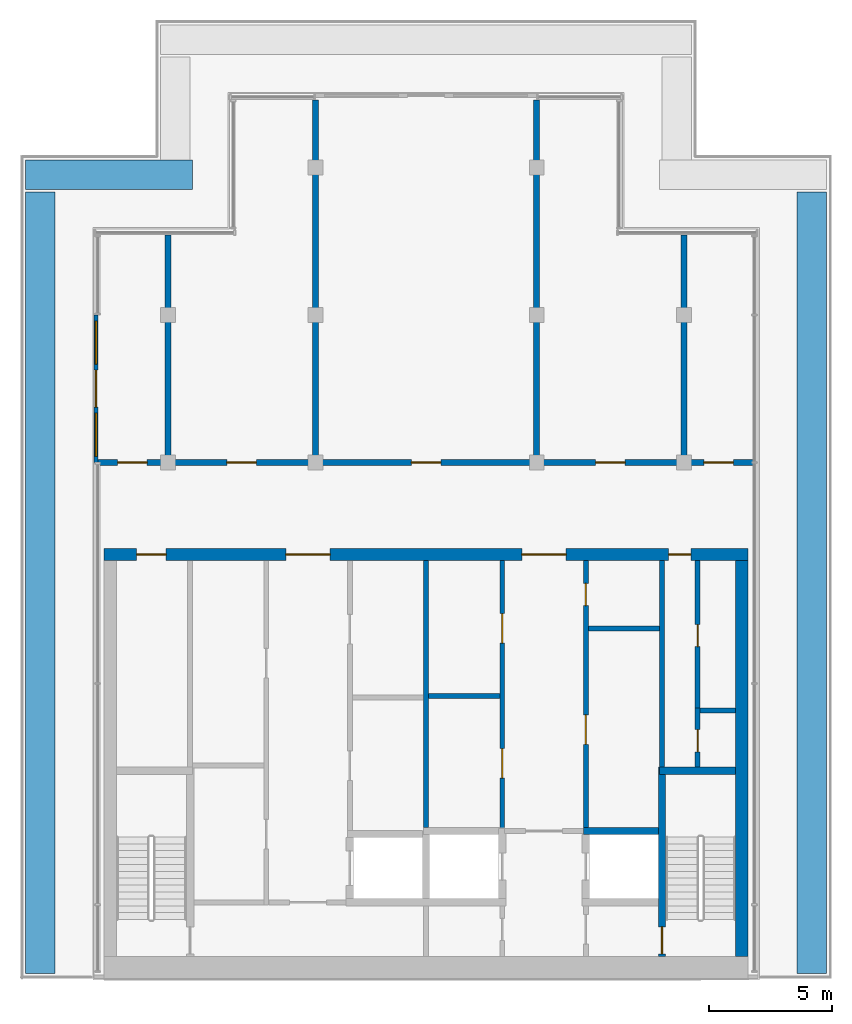
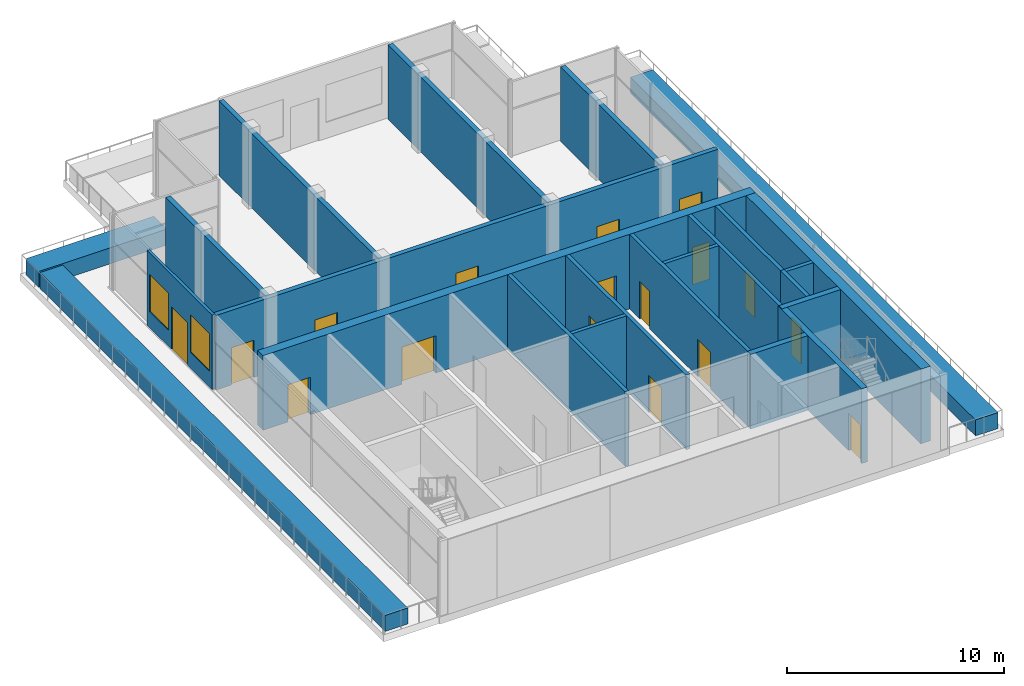
# One storey, part 3 of 6: 23 walls, 17 doors, 2 windows, 19 openings.
"""IFC4 building model written with IfcOpenShell, lengths in metres."""

from ifc_helpers import new_model, si_unit, direction, frame, frame_2d, origin, place, context, subcontext, project, spatial, rectangle, extrude, material, layer, layer_set, type_object, element, fill, save


model = new_model("IFC4")

# Units and contexts
model_context = context("Model", 3, precision=1e-05, world=origin(), true_north=direction((0.0, 1.0)))
body_context = subcontext(model_context, "Body", "Model", "MODEL_VIEW")
ifc_project = project(units=[si_unit("LENGTHUNIT", "METRE"), si_unit("AREAUNIT", "SQUARE_METRE"), si_unit("VOLUMEUNIT", "CUBIC_METRE"), si_unit("PLANEANGLEUNIT", "RADIAN"), si_unit("MASSUNIT", "GRAM", prefix="KILO")], contexts=[model_context])

# Site, building, storey
site_placement = place(None, origin())
site = spatial("IfcSite", under=ifc_project, at=site_placement, CompositionType="ELEMENT")
building_placement = place(site_placement, origin())
building = spatial("IfcBuilding", under=site, at=building_placement, Name="Finial Court Residences", CompositionType="ELEMENT")
storey_placement = place(building_placement, frame((0.0, 0.0, 312.199951171875)))
storey = spatial("IfcBuildingStorey", under=building, at=storey_placement, Name="L79", CompositionType="ELEMENT", Elevation=312.199951171875)

# Wall, openings, doors
ifc_material_1 = material(Name="Concrete C50/60", Category="concrete")
ifc_layer_1 = layer(ifc_material_1, 0.5)
ifc_layer_set_1 = layer_set([ifc_layer_1], Name="Core outer wall 500 Concrete C50/60")
wall_type_1 = type_object("IfcWallType", Name="Core outer wall 500 Concrete C50/60", PredefinedType="SHEAR", material=ifc_layer_set_1)
wall_1_placement = place(storey_placement, frame((-13.10009765625, -8.25, 0.0), z_axis=(0.0, 0.0, 1.0), x_axis=(1.0, 0.0, 0.0)))
wall_1 = element("IfcWall", 1, at=wall_1_placement, inside=storey, type_object=wall_type_1, Name="Core outer wall L79-02", PredefinedType="SHEAR", context=body_context, shape_type="SweptSolid", body=[
    extrude(rectangle(XDim=26.2001953125, YDim=0.5, at=frame_2d((13.10009765625, 0.0))), origin(), (0.0, 0.0, 1.0), 4.199951171875),
])
opening_1_placement = place(wall_1_placement, frame((7.39990234375, 0.0, 0.0)))
opening_1 = element("IfcOpeningElement", 2, at=opening_1_placement, cuts=wall_1, Name="Opening L79-C03", PredefinedType="OPENING", context=body_context, shape_type="SweptSolid", body=[
    extrude(rectangle(XDim=1.800048828125, YDim=2.10009765625, at=frame_2d((0.89990234375, 1.050048828125))), frame((0.0, 0.260009765625, 0.0), z_axis=(0.0, -1.0, 0.0), x_axis=(1.0, 0.0, 0.0)), (0.0, 0.0, 1.0), 0.52001953125),
])
opening_2_placement = place(wall_1_placement, frame((17.0, 0.0, 0.0)))
opening_2 = element("IfcOpeningElement", 3, at=opening_2_placement, cuts=wall_1, Name="Opening L79-C04", PredefinedType="OPENING", context=body_context, shape_type="SweptSolid", body=[
    extrude(rectangle(XDim=1.800048828125, YDim=2.10009765625, at=frame_2d((0.89990234375, 1.050048828125))), frame((0.0, 0.260009765625, 0.0), z_axis=(0.0, -1.0, 0.0), x_axis=(1.0, 0.0, 0.0)), (0.0, 0.0, 1.0), 0.52001953125),
])
opening_3_placement = place(wall_1_placement, frame((1.324951171875, 0.0, 0.0)))
opening_3 = element("IfcOpeningElement", 4, at=opening_3_placement, cuts=wall_1, Name="Opening L79-C15", PredefinedType="OPENING", context=body_context, shape_type="SweptSolid", body=[
    extrude(rectangle(XDim=1.199951171875, YDim=2.10009765625, at=frame_2d((0.60009765625, 1.050048828125))), frame((0.0, 0.260009765625, 0.0), z_axis=(0.0, -1.0, 0.0), x_axis=(1.0, 0.0, 0.0)), (0.0, 0.0, 1.0), 0.52001953125),
])
opening_4_placement = place(wall_1_placement, frame((22.97509765625, 0.0, 0.0)))
opening_4 = element("IfcOpeningElement", 5, at=opening_4_placement, cuts=wall_1, Name="Opening L79-C16", PredefinedType="OPENING", context=body_context, shape_type="SweptSolid", body=[
    extrude(rectangle(XDim=0.89990234375, YDim=2.10009765625, at=frame_2d((0.449951171875, 1.050048828125))), frame((0.0, 0.260009765625, 0.0), z_axis=(0.0, -1.0, 0.0), x_axis=(1.0, 0.0, 0.0)), (0.0, 0.0, 1.0), 0.52001953125),
])
ifc_material_2 = material(Name="Steel fire door", Category="steel")
door_type_1 = type_object("IfcDoorType", Name="Lift lobby door 1800 x 2100 EI 60", OperationType="DOUBLE_DOOR_SINGLE_SWING", PredefinedType="DOOR", material=ifc_material_2)
door_1_placement = place(opening_1_placement, origin())
door_1 = element("IfcDoor", 6, at=door_1_placement, inside=storey, type_object=door_type_1, Name="Lift lobby door L79-C03", OperationType="DOUBLE_DOOR_SINGLE_SWING", OverallHeight=2.10009765625, OverallWidth=1.800048828125, PredefinedType="DOOR", context=body_context, shape_type="SweptSolid", body=[
    extrude(rectangle(XDim=1.800048828125, YDim=2.10009765625, at=frame_2d((0.89990234375, 1.050048828125))), frame((0.0, 0.02490234375, 0.0), z_axis=(0.0, -1.0, 0.0), x_axis=(1.0, 0.0, 0.0)), (0.0, 0.0, 1.0), 0.050048828125),
])
fill(opening_1, door_1)
door_2_placement = place(opening_2_placement, origin())
door_2 = element("IfcDoor", 7, at=door_2_placement, inside=storey, type_object=door_type_1, Name="Lift lobby door L79-C04", OperationType="DOUBLE_DOOR_SINGLE_SWING", OverallHeight=2.10009765625, OverallWidth=1.800048828125, PredefinedType="DOOR", context=body_context, shape_type="SweptSolid", body=[
    extrude(rectangle(XDim=1.800048828125, YDim=2.10009765625, at=frame_2d((0.89990234375, 1.050048828125))), frame((0.0, 0.02490234375, 0.0), z_axis=(0.0, -1.0, 0.0), x_axis=(1.0, 0.0, 0.0)), (0.0, 0.0, 1.0), 0.050048828125),
])
fill(opening_2, door_2)
door_type_2 = type_object("IfcDoorType", Name="Riser room door 1200 x 2100 EI 90", OperationType="NOTDEFINED", PredefinedType="DOOR", material=ifc_material_2)
door_3_placement = place(opening_3_placement, origin())
door_3 = element("IfcDoor", 8, at=door_3_placement, inside=storey, type_object=door_type_2, Name="Riser room door L79-C15", OperationType="SINGLE_SWING_LEFT", OverallHeight=2.10009765625, OverallWidth=1.199951171875, PredefinedType="DOOR", context=body_context, shape_type="SweptSolid", body=[
    extrude(rectangle(XDim=1.199951171875, YDim=2.10009765625, at=frame_2d((0.60009765625, 1.050048828125))), frame((0.0, 0.02490234375, 0.0), z_axis=(0.0, -1.0, 0.0), x_axis=(1.0, 0.0, 0.0)), (0.0, 0.0, 1.0), 0.050048828125),
])
fill(opening_3, door_3)
door_type_3 = type_object("IfcDoorType", Name="Riser room door 900 x 2100 EI 90", OperationType="NOTDEFINED", PredefinedType="DOOR", material=ifc_material_2)
door_4_placement = place(opening_4_placement, origin())
door_4 = element("IfcDoor", 9, at=door_4_placement, inside=storey, type_object=door_type_3, Name="Riser room door L79-C16", OperationType="SINGLE_SWING_LEFT", OverallHeight=2.10009765625, OverallWidth=0.89990234375, PredefinedType="DOOR", context=body_context, shape_type="SweptSolid", body=[
    extrude(rectangle(XDim=0.89990234375, YDim=2.10009765625, at=frame_2d((0.449951171875, 1.050048828125))), frame((0.0, 0.02490234375, 0.0), z_axis=(0.0, -1.0, 0.0), x_axis=(1.0, 0.0, 0.0)), (0.0, 0.0, 1.0), 0.050048828125),
])
fill(opening_4, door_4)

# Walls
wall_2_placement = place(storey_placement, frame((12.85009765625, -24.60009765625, 0.0), z_axis=(0.0, 0.0, 1.0), x_axis=(0.0, 1.0, 0.0)))
element("IfcWall", 10, at=wall_2_placement, inside=storey, type_object=wall_type_1, Name="Core outer wall L79-04", PredefinedType="SHEAR", context=body_context, shape_type="SweptSolid", body=[
    extrude(rectangle(XDim=16.10009765625, YDim=0.5, at=frame_2d((8.050048828125, 0.0))), origin(), (0.0, 0.0, 1.0), 4.199951171875),
])
ifc_layer_2 = layer(ifc_material_1, 0.300048828125)
ifc_layer_set_2 = layer_set([ifc_layer_2], Name="Lift shaft and stair wall 300 Concrete C50/60")
wall_type_2 = type_object("IfcWallType", Name="Lift shaft and stair wall 300 Concrete C50/60", PredefinedType="SHEAR", material=ifc_layer_set_2)
wall_3_placement = place(storey_placement, frame((6.39990234375, -19.5, 0.0), z_axis=(0.0, 0.0, 1.0), x_axis=(1.0, 0.0, 0.0)))
element("IfcWall", 11, at=wall_3_placement, inside=storey, type_object=wall_type_2, Name="Core wall L79-08", PredefinedType="SHEAR", context=body_context, shape_type="SweptSolid", body=[
    extrude(rectangle(XDim=3.050048828125, YDim=0.300048828125, at=frame_2d((1.52490234375, 0.0))), origin(), (0.0, 0.0, 1.0), 4.199951171875),
])
wall_4_placement = place(storey_placement, frame((9.5, -17.050048828125, 0.0), z_axis=(0.0, 0.0, 1.0), x_axis=(1.0, 0.0, 0.0)))
element("IfcWall", 12, at=wall_4_placement, inside=storey, type_object=wall_type_2, Name="Core wall L79-10", PredefinedType="SHEAR", context=body_context, shape_type="SweptSolid", body=[
    extrude(rectangle(XDim=3.10009765625, YDim=0.300048828125, at=frame_2d((1.550048828125, 0.0))), origin(), (0.0, 0.0, 1.0), 4.199951171875),
])

# Wall, opening, door
wall_5_placement = place(storey_placement, frame((9.60009765625, -16.89990234375, 0.0), z_axis=(0.0, 0.0, 1.0), x_axis=(0.0, -1.0, 0.0)))
wall_5 = element("IfcWall", 13, at=wall_5_placement, inside=storey, type_object=wall_type_2, Name="Core wall L79-30", PredefinedType="SHEAR", context=body_context, shape_type="SweptSolid", body=[
    extrude(rectangle(XDim=7.7001953125, YDim=0.300048828125, at=frame_2d((3.85009765625, 0.0))), origin(), (0.0, 0.0, 1.0), 4.199951171875),
])
opening_5_placement = place(wall_5_placement, frame((6.5, 0.0, 0.0)))
opening_5 = element("IfcOpeningElement", 14, at=opening_5_placement, cuts=wall_5, Name="Opening L79-C20", PredefinedType="OPENING", context=body_context, shape_type="SweptSolid", body=[
    extrude(rectangle(XDim=1.10009765625, YDim=2.10009765625, at=frame_2d((0.550048828125, 1.050048828125))), frame((0.0, 0.159912109375, 0.0), z_axis=(0.0, -1.0, 0.0), x_axis=(1.0, 0.0, 0.0)), (0.0, 0.0, 1.0), 0.320068359375),
])
door_type_4 = type_object("IfcDoorType", Name="Stair door 1100 x 2100 EI 90", OperationType="NOTDEFINED", PredefinedType="DOOR", material=ifc_material_2)
door_5_placement = place(opening_5_placement, origin())
door_5 = element("IfcDoor", 15, at=door_5_placement, inside=storey, type_object=door_type_4, Name="Stair door L79-C20", OperationType="SINGLE_SWING_RIGHT", OverallHeight=2.10009765625, OverallWidth=1.10009765625, PredefinedType="DOOR", context=body_context, shape_type="SweptSolid", body=[
    extrude(rectangle(XDim=1.10009765625, YDim=2.10009765625, at=frame_2d((0.550048828125, 1.050048828125))), frame((0.0, 0.02490234375, 0.0), z_axis=(0.0, -1.0, 0.0), x_axis=(1.0, 0.0, 0.0)), (0.0, 0.0, 1.0), 0.050048828125),
])
fill(opening_5, door_5)

# Wall, openings, door, windows
ifc_material_3 = material(Name="Natural limestone", Category="masonry")
ifc_layer_3 = layer(ifc_material_3, 0.14990234375)
ifc_layer_set_3 = layer_set([ifc_layer_3], Name="Limestone clad wall 150")
wall_type_3 = type_object("IfcWallType", Name="Limestone clad wall 150", PredefinedType="SOLIDWALL", material=ifc_layer_set_3)
wall_6_placement = place(storey_placement, frame((-13.425048828125, -4.5, 0.0), z_axis=(0.0, 0.0, 1.0), x_axis=(0.0, 1.0, 0.0)))
wall_6 = element("IfcWall", 16, at=wall_6_placement, inside=storey, type_object=wall_type_3, Name="E-L79-L79-TD2-W", PredefinedType="SOLIDWALL", context=body_context, shape_type="SweptSolid", body=[
    extrude(rectangle(XDim=6.0, YDim=0.14990234375, at=frame_2d((3.0, 0.0))), origin(), (0.0, 0.0, 1.0), 4.199951171875),
])
opening_6_placement = place(wall_6_placement, frame((2.25, 0.0, 0.0)))
opening_6 = element("IfcOpeningElement", 17, at=opening_6_placement, cuts=wall_6, Name="Opening DE79-02", PredefinedType="OPENING", context=body_context, shape_type="SweptSolid", body=[
    extrude(rectangle(XDim=1.5, YDim=2.39990234375, at=frame_2d((0.75, 1.199951171875))), frame((0.0, 0.0849609375, 0.0), z_axis=(0.0, -1.0, 0.0), x_axis=(1.0, 0.0, 0.0)), (0.0, 0.0, 1.0), 0.169921875),
])
opening_7_placement = place(wall_6_placement, frame((0.25, 0.0, 0.89990234375)))
opening_7 = element("IfcOpeningElement", 18, at=opening_7_placement, cuts=wall_6, Name="Opening WE79-03", PredefinedType="OPENING", context=body_context, shape_type="SweptSolid", body=[
    extrude(rectangle(XDim=1.75, YDim=2.10009765625, at=frame_2d((0.875, 1.050048828125))), frame((0.0, 0.0849609375, 0.0), z_axis=(0.0, -1.0, 0.0), x_axis=(1.0, 0.0, 0.0)), (0.0, 0.0, 1.0), 0.169921875),
])
opening_8_placement = place(wall_6_placement, frame((4.0, 0.0, 0.89990234375)))
opening_8 = element("IfcOpeningElement", 19, at=opening_8_placement, cuts=wall_6, Name="Opening WE79-04", PredefinedType="OPENING", context=body_context, shape_type="SweptSolid", body=[
    extrude(rectangle(XDim=1.75, YDim=2.10009765625, at=frame_2d((0.875, 1.050048828125))), frame((0.0, 0.0849609375, 0.0), z_axis=(0.0, -1.0, 0.0), x_axis=(1.0, 0.0, 0.0)), (0.0, 0.0, 1.0), 0.169921875),
])
ifc_material_4 = material(Name="Bronze anodised aluminium", Category="aluminium")
door_type_5 = type_object("IfcDoorType", Name="Terrace door 1500 x 2400", OperationType="DOUBLE_DOOR_SINGLE_SWING", PredefinedType="DOOR", material=ifc_material_4)
door_6_placement = place(opening_6_placement, origin())
door_6 = element("IfcDoor", 20, at=door_6_placement, inside=storey, type_object=door_type_5, Name="E-L79-L79-TD2-W-D", OperationType="DOUBLE_DOOR_SINGLE_SWING", OverallHeight=2.39990234375, OverallWidth=1.5, PredefinedType="DOOR", context=body_context, shape_type="SweptSolid", body=[
    extrude(rectangle(XDim=1.5, YDim=2.39990234375, at=frame_2d((0.75, 1.199951171875))), frame((0.0, 0.02490234375, 0.0), z_axis=(0.0, -1.0, 0.0), x_axis=(1.0, 0.0, 0.0)), (0.0, 0.0, 1.0), 0.050048828125),
])
fill(opening_6, door_6)
ifc_material_5 = material(Name="Clear low-e glass", Category="glass")
window_type = type_object("IfcWindowType", Name="Terrace window 1750 x 2100", PartitioningType="SINGLE_PANEL", PredefinedType="WINDOW", material=ifc_material_5)
window_1_placement = place(opening_7_placement, origin())
window_1 = element("IfcWindow", 21, at=window_1_placement, inside=storey, type_object=window_type, Name="E-L79-L79-TD2-W-W1", OverallHeight=2.10009765625, OverallWidth=1.75, PartitioningType="SINGLE_PANEL", PredefinedType="WINDOW", context=body_context, shape_type="SweptSolid", body=[
    extrude(rectangle(XDim=1.75, YDim=2.10009765625, at=frame_2d((0.875, 1.050048828125))), frame((0.0, 0.030029296875, 0.0), z_axis=(0.0, -1.0, 0.0), x_axis=(1.0, 0.0, 0.0)), (0.0, 0.0, 1.0), 0.06005859375),
])
fill(opening_7, window_1)
window_2_placement = place(opening_8_placement, origin())
window_2 = element("IfcWindow", 22, at=window_2_placement, inside=storey, type_object=window_type, Name="E-L79-L79-TD2-W-W2", OverallHeight=2.10009765625, OverallWidth=1.75, PartitioningType="SINGLE_PANEL", PredefinedType="WINDOW", context=body_context, shape_type="SweptSolid", body=[
    extrude(rectangle(XDim=1.75, YDim=2.10009765625, at=frame_2d((0.875, 1.050048828125))), frame((0.0, 0.030029296875, 0.0), z_axis=(0.0, -1.0, 0.0), x_axis=(1.0, 0.0, 0.0)), (0.0, 0.0, 1.0), 0.06005859375),
])
fill(opening_8, window_2)

# Wall, openings, doors
ifc_material_6 = material(Name="Fire-rated board")
ifc_layer_4 = layer(ifc_material_6, 0.050048828125)
ifc_material_7 = material(Name="Mineral wool in double frame")
ifc_layer_5 = layer(ifc_material_7, 0.14990234375)
ifc_layer_6 = layer(ifc_material_6, 0.050048828125)
ifc_layer_set_4 = layer_set([ifc_layer_4, ifc_layer_5, ifc_layer_6], Name="Plant room wall 250, 2 hour")
wall_type_4 = type_object("IfcWallType", Name="Plant room wall 250, 2 hour", PredefinedType="PARTITIONING", material=ifc_layer_set_4)
wall_7_placement = place(storey_placement, frame((-13.35009765625, -4.5, 0.0), z_axis=(0.0, 0.0, 1.0), x_axis=(1.0, 0.0, 0.0)))
wall_7 = element("IfcWall", 23, at=wall_7_placement, inside=storey, type_object=wall_type_4, Name="Partition L79-000", PredefinedType="PARTITIONING", context=body_context, shape_type="SweptSolid", body=[
    extrude(rectangle(XDim=26.7001953125, YDim=0.25, at=frame_2d((13.35009765625, 0.0))), origin(), (0.0, 0.0, 1.0), 4.199951171875),
])
opening_9_placement = place(wall_7_placement, frame((0.800048828125, 0.0, 0.0)))
opening_9 = element("IfcOpeningElement", 24, at=opening_9_placement, cuts=wall_7, Name="Opening L79-D001", PredefinedType="OPENING", context=body_context, shape_type="SweptSolid", body=[
    extrude(rectangle(XDim=1.199951171875, YDim=2.10009765625, at=frame_2d((0.60009765625, 1.050048828125))), frame((0.0, 0.135009765625, 0.0), z_axis=(0.0, -1.0, 0.0), x_axis=(1.0, 0.0, 0.0)), (0.0, 0.0, 1.0), 0.27001953125),
])
opening_10_placement = place(wall_7_placement, frame((5.25, 0.0, 0.0)))
opening_10 = element("IfcOpeningElement", 25, at=opening_10_placement, cuts=wall_7, Name="Opening L79-D002", PredefinedType="OPENING", context=body_context, shape_type="SweptSolid", body=[
    extrude(rectangle(XDim=1.199951171875, YDim=2.10009765625, at=frame_2d((0.60009765625, 1.050048828125))), frame((0.0, 0.135009765625, 0.0), z_axis=(0.0, -1.0, 0.0), x_axis=(1.0, 0.0, 0.0)), (0.0, 0.0, 1.0), 0.27001953125),
])
opening_11_placement = place(wall_7_placement, frame((12.75, 0.0, 0.0)))
opening_11 = element("IfcOpeningElement", 26, at=opening_11_placement, cuts=wall_7, Name="Opening L79-D003", PredefinedType="OPENING", context=body_context, shape_type="SweptSolid", body=[
    extrude(rectangle(XDim=1.199951171875, YDim=2.10009765625, at=frame_2d((0.60009765625, 1.050048828125))), frame((0.0, 0.135009765625, 0.0), z_axis=(0.0, -1.0, 0.0), x_axis=(1.0, 0.0, 0.0)), (0.0, 0.0, 1.0), 0.27001953125),
])
opening_12_placement = place(wall_7_placement, frame((20.25, 0.0, 0.0)))
opening_12 = element("IfcOpeningElement", 27, at=opening_12_placement, cuts=wall_7, Name="Opening L79-D004", PredefinedType="OPENING", context=body_context, shape_type="SweptSolid", body=[
    extrude(rectangle(XDim=1.199951171875, YDim=2.10009765625, at=frame_2d((0.60009765625, 1.050048828125))), frame((0.0, 0.135009765625, 0.0), z_axis=(0.0, -1.0, 0.0), x_axis=(1.0, 0.0, 0.0)), (0.0, 0.0, 1.0), 0.27001953125),
])
opening_13_placement = place(wall_7_placement, frame((24.64990234375, 0.0, 0.0)))
opening_13 = element("IfcOpeningElement", 28, at=opening_13_placement, cuts=wall_7, Name="Opening L79-D005", PredefinedType="OPENING", context=body_context, shape_type="SweptSolid", body=[
    extrude(rectangle(XDim=1.199951171875, YDim=2.10009765625, at=frame_2d((0.60009765625, 1.050048828125))), frame((0.0, 0.135009765625, 0.0), z_axis=(0.0, -1.0, 0.0), x_axis=(1.0, 0.0, 0.0)), (0.0, 0.0, 1.0), 0.27001953125),
])
ifc_material_8 = material(Name="Timber door leaf in hollow metal frame", Category="wood")
door_type_6 = type_object("IfcDoorType", Name="Fire door set 1200 x 2100, 60 minutes", OperationType="SINGLE_SWING_LEFT", PredefinedType="DOOR", material=ifc_material_8)
door_7_placement = place(opening_9_placement, origin())
door_7 = element("IfcDoor", 29, at=door_7_placement, inside=storey, type_object=door_type_6, Name="Door L79-D001", OperationType="SINGLE_SWING_RIGHT", OverallHeight=2.10009765625, OverallWidth=1.199951171875, PredefinedType="DOOR", context=body_context, shape_type="SweptSolid", body=[
    extrude(rectangle(XDim=1.199951171875, YDim=2.10009765625, at=frame_2d((0.60009765625, 1.050048828125))), frame((0.0, 0.02490234375, 0.0), z_axis=(0.0, -1.0, 0.0), x_axis=(1.0, 0.0, 0.0)), (0.0, 0.0, 1.0), 0.050048828125),
])
fill(opening_9, door_7)
door_8_placement = place(opening_10_placement, origin())
door_8 = element("IfcDoor", 30, at=door_8_placement, inside=storey, type_object=door_type_6, Name="Door L79-D002", OperationType="SINGLE_SWING_RIGHT", OverallHeight=2.10009765625, OverallWidth=1.199951171875, PredefinedType="DOOR", context=body_context, shape_type="SweptSolid", body=[
    extrude(rectangle(XDim=1.199951171875, YDim=2.10009765625, at=frame_2d((0.60009765625, 1.050048828125))), frame((0.0, 0.02490234375, 0.0), z_axis=(0.0, -1.0, 0.0), x_axis=(1.0, 0.0, 0.0)), (0.0, 0.0, 1.0), 0.050048828125),
])
fill(opening_10, door_8)
door_9_placement = place(opening_11_placement, origin())
door_9 = element("IfcDoor", 31, at=door_9_placement, inside=storey, type_object=door_type_6, Name="Door L79-D003", OperationType="SINGLE_SWING_LEFT", OverallHeight=2.10009765625, OverallWidth=1.199951171875, PredefinedType="DOOR", context=body_context, shape_type="SweptSolid", body=[
    extrude(rectangle(XDim=1.199951171875, YDim=2.10009765625, at=frame_2d((0.60009765625, 1.050048828125))), frame((0.0, 0.02490234375, 0.0), z_axis=(0.0, -1.0, 0.0), x_axis=(1.0, 0.0, 0.0)), (0.0, 0.0, 1.0), 0.050048828125),
])
fill(opening_11, door_9)
door_10_placement = place(opening_12_placement, origin())
door_10 = element("IfcDoor", 32, at=door_10_placement, inside=storey, type_object=door_type_6, Name="Door L79-D004", OperationType="SINGLE_SWING_LEFT", OverallHeight=2.10009765625, OverallWidth=1.199951171875, PredefinedType="DOOR", context=body_context, shape_type="SweptSolid", body=[
    extrude(rectangle(XDim=1.199951171875, YDim=2.10009765625, at=frame_2d((0.60009765625, 1.050048828125))), frame((0.0, 0.02490234375, 0.0), z_axis=(0.0, -1.0, 0.0), x_axis=(1.0, 0.0, 0.0)), (0.0, 0.0, 1.0), 0.050048828125),
])
fill(opening_12, door_10)
door_11_placement = place(opening_13_placement, origin())
door_11 = element("IfcDoor", 33, at=door_11_placement, inside=storey, type_object=door_type_6, Name="Door L79-D005", OperationType="SINGLE_SWING_LEFT", OverallHeight=2.10009765625, OverallWidth=1.199951171875, PredefinedType="DOOR", context=body_context, shape_type="SweptSolid", body=[
    extrude(rectangle(XDim=1.199951171875, YDim=2.10009765625, at=frame_2d((0.60009765625, 1.050048828125))), frame((0.0, 0.02490234375, 0.0), z_axis=(0.0, -1.0, 0.0), x_axis=(1.0, 0.0, 0.0)), (0.0, 0.0, 1.0), 0.050048828125),
])
fill(opening_13, door_11)

# Walls
wall_8_placement = place(storey_placement, frame((-10.5, -4.375, 0.0), z_axis=(0.0, 0.0, 1.0), x_axis=(0.0, 1.0, 0.0)))
element("IfcWall", 34, at=wall_8_placement, inside=storey, type_object=wall_type_4, Name="Partition L79-001", PredefinedType="PARTITIONING", context=body_context, shape_type="SweptSolid", body=[
    extrude(rectangle(XDim=9.125, YDim=0.25, at=frame_2d((4.5625, 0.0))), origin(), (0.0, 0.0, 1.0), 4.199951171875),
])
for number, where, z_axis, x_axis, name in (
    (35, (-4.5, -4.375, 0.0), (0.0, 0.0, 1.0), (0.0, 1.0, 0.0), "Partition L79-002"),
    (36, (4.5, -4.375, 0.0), (0.0, 0.0, 1.0), (0.0, 1.0, 0.0), "Partition L79-003"),
):
    element("IfcWall", number, at=place(storey_placement, frame(where, z_axis=z_axis, x_axis=x_axis)), inside=storey, type_object=wall_type_4, Name=name, PredefinedType="PARTITIONING", context=body_context, shape_type="SweptSolid", body=[
        extrude(rectangle(XDim=14.625, YDim=0.25, at=frame_2d((7.3125, 0.0))), origin(), (0.0, 0.0, 1.0), 4.199951171875),
    ])
wall_9_placement = place(storey_placement, frame((10.5, -4.375, 0.0), z_axis=(0.0, 0.0, 1.0), x_axis=(0.0, 1.0, 0.0)))
element("IfcWall", 37, at=wall_9_placement, inside=storey, type_object=wall_type_4, Name="Partition L79-004", PredefinedType="PARTITIONING", context=body_context, shape_type="SweptSolid", body=[
    extrude(rectangle(XDim=9.125, YDim=0.25, at=frame_2d((4.5625, 0.0))), origin(), (0.0, 0.0, 1.0), 4.199951171875),
])
ifc_material_9 = material(Name="Concrete C40/50", Category="concrete")
ifc_layer_7 = layer(ifc_material_9, 0.199951171875)
ifc_material_10 = material(Name="Planting soil", Category="soil")
ifc_layer_8 = layer(ifc_material_10, 0.800048828125)
ifc_layer_9 = layer(ifc_material_9, 0.199951171875)
ifc_layer_set_5 = layer_set([ifc_layer_7, ifc_layer_8, ifc_layer_9], Name="Planter wall, terrace 1200")
wall_type_5 = type_object("IfcWallType", Name="Planter wall, terrace 1200", PredefinedType="USERDEFINED", material=ifc_layer_set_5)
wall_10_placement = place(storey_placement, frame((-15.699951171875, -25.300048828125, 0.0), z_axis=(0.0, 0.0, 1.0), x_axis=(0.0, 1.0, 0.0)))
element("IfcWall", 38, at=wall_10_placement, inside=storey, type_object=wall_type_5, Name="E-L79-TER1-PL1", ObjectType="PLANTER", PredefinedType="USERDEFINED", context=body_context, shape_type="SweptSolid", body=[
    extrude(rectangle(XDim=31.800048828125, YDim=1.199951171875, at=frame_2d((15.89990234375, 0.0))), origin(), (0.0, 0.0, 1.0), 0.900146484375),
])
wall_11_placement = place(storey_placement, frame((-16.300048828125, 7.199951171875, 0.0), z_axis=(0.0, 0.0, 1.0), x_axis=(1.0, 0.0, 0.0)))
element("IfcWall", 39, at=wall_11_placement, inside=storey, type_object=wall_type_5, Name="E-L79-TER1-PL2", ObjectType="PLANTER", PredefinedType="USERDEFINED", context=body_context, shape_type="SweptSolid", body=[
    extrude(rectangle(XDim=6.800048828125, YDim=1.199951171875, at=frame_2d((3.39990234375, 0.0))), origin(), (0.0, 0.0, 1.0), 0.900146484375),
])
wall_12_placement = place(storey_placement, frame((15.699951171875, -25.300048828125, 0.0), z_axis=(0.0, 0.0, 1.0), x_axis=(0.0, 1.0, 0.0)))
element("IfcWall", 40, at=wall_12_placement, inside=storey, type_object=wall_type_5, Name="E-L79-TER1-PL7", ObjectType="PLANTER", PredefinedType="USERDEFINED", context=body_context, shape_type="SweptSolid", body=[
    extrude(rectangle(XDim=31.800048828125, YDim=1.199951171875, at=frame_2d((15.89990234375, 0.0))), origin(), (0.0, 0.0, 1.0), 0.900146484375),
])
ifc_material_11 = material(Name="Fire-rated gypsum board partition")
ifc_layer_10 = layer(ifc_material_11, 0.199951171875)
ifc_layer_set_6 = layer_set([ifc_layer_10], Name="Riser room wall 200 EI 120")
wall_type_6 = type_object("IfcWallType", Name="Riser room wall 200 EI 120", PredefinedType="PARTITIONING", material=ifc_layer_set_6)
wall_13_placement = place(storey_placement, frame((11.14990234375, -14.60009765625, 0.0), z_axis=(0.0, 0.0, 1.0), x_axis=(1.0, 0.0, 0.0)))
element("IfcWall", 41, at=wall_13_placement, inside=storey, type_object=wall_type_6, Name="Core partition L79-12", PredefinedType="PARTITIONING", context=body_context, shape_type="SweptSolid", body=[
    extrude(rectangle(XDim=1.4501953125, YDim=0.199951171875, at=frame_2d((0.72509765625, 0.0))), origin(), (0.0, 0.0, 1.0), 4.199951171875),
])
for number, where, z_axis, x_axis, name in (
    (42, (0.10009765625, -14.0, 0.0), (0.0, 0.0, 1.0), (1.0, 0.0, 0.0), "Core partition L79-14"),
    (43, (6.60009765625, -11.25, 0.0), (0.0, 0.0, 1.0), (1.0, 0.0, 0.0), "Core partition L79-15"),
):
    element("IfcWall", number, at=place(storey_placement, frame(where, z_axis=z_axis, x_axis=x_axis)), inside=storey, type_object=wall_type_6, Name=name, PredefinedType="PARTITIONING", context=body_context, shape_type="SweptSolid", body=[
        extrude(rectangle(XDim=2.89990234375, YDim=0.199951171875, at=frame_2d((1.449951171875, 0.0))), origin(), (0.0, 0.0, 1.0), 4.199951171875),
    ])
wall_14_placement = place(storey_placement, frame((0.0, -19.35009765625, 0.0), z_axis=(0.0, 0.0, 1.0), x_axis=(0.0, 1.0, 0.0)))
element("IfcWall", 44, at=wall_14_placement, inside=storey, type_object=wall_type_6, Name="Core partition L79-23", PredefinedType="PARTITIONING", context=body_context, shape_type="SweptSolid", body=[
    extrude(rectangle(XDim=10.85009765625, YDim=0.199951171875, at=frame_2d((5.425048828125, 0.0))), origin(), (0.0, 0.0, 1.0), 4.199951171875),
])

# Wall, openings, doors
wall_15_placement = place(storey_placement, frame((3.10009765625, -19.60009765625, 0.0), z_axis=(0.0, 0.0, 1.0), x_axis=(0.0, 1.0, 0.0)))
wall_15 = element("IfcWall", 45, at=wall_15_placement, inside=storey, type_object=wall_type_6, Name="Core partition L79-26", PredefinedType="PARTITIONING", context=body_context, shape_type="SweptSolid", body=[
    extrude(rectangle(XDim=11.10009765625, YDim=0.199951171875, at=frame_2d((5.550048828125, 0.0))), origin(), (0.0, 0.0, 1.0), 4.199951171875),
])
opening_14_placement = place(wall_15_placement, frame((2.25, 0.0, 0.0)))
opening_14 = element("IfcOpeningElement", 46, at=opening_14_placement, cuts=wall_15, Name="Opening L79-C11", PredefinedType="OPENING", context=body_context, shape_type="SweptSolid", body=[
    extrude(rectangle(XDim=1.199951171875, YDim=2.10009765625, at=frame_2d((0.60009765625, 1.050048828125))), frame((0.0, 0.10986328125, 0.0), z_axis=(0.0, -1.0, 0.0), x_axis=(1.0, 0.0, 0.0)), (0.0, 0.0, 1.0), 0.219970703125),
])
opening_15_placement = place(wall_15_placement, frame((7.75, 0.0, 0.0)))
opening_15 = element("IfcOpeningElement", 47, at=opening_15_placement, cuts=wall_15, Name="Opening L79-C12", PredefinedType="OPENING", context=body_context, shape_type="SweptSolid", body=[
    extrude(rectangle(XDim=1.199951171875, YDim=2.10009765625, at=frame_2d((0.60009765625, 1.050048828125))), frame((0.0, 0.10986328125, 0.0), z_axis=(0.0, -1.0, 0.0), x_axis=(1.0, 0.0, 0.0)), (0.0, 0.0, 1.0), 0.219970703125),
])
door_12_placement = place(opening_14_placement, origin())
door_12 = element("IfcDoor", 48, at=door_12_placement, inside=storey, type_object=door_type_2, Name="Riser room door L79-C11", OperationType="SINGLE_SWING_LEFT", OverallHeight=2.10009765625, OverallWidth=1.199951171875, PredefinedType="DOOR", context=body_context, shape_type="SweptSolid", body=[
    extrude(rectangle(XDim=1.199951171875, YDim=2.10009765625, at=frame_2d((0.60009765625, 1.050048828125))), frame((0.0, 0.02490234375, 0.0), z_axis=(0.0, -1.0, 0.0), x_axis=(1.0, 0.0, 0.0)), (0.0, 0.0, 1.0), 0.050048828125),
])
fill(opening_14, door_12)
door_13_placement = place(opening_15_placement, origin())
door_13 = element("IfcDoor", 49, at=door_13_placement, inside=storey, type_object=door_type_2, Name="Riser room door L79-C12", OperationType="SINGLE_SWING_LEFT", OverallHeight=2.10009765625, OverallWidth=1.199951171875, PredefinedType="DOOR", context=body_context, shape_type="SweptSolid", body=[
    extrude(rectangle(XDim=1.199951171875, YDim=2.10009765625, at=frame_2d((0.60009765625, 1.050048828125))), frame((0.0, 0.02490234375, 0.0), z_axis=(0.0, -1.0, 0.0), x_axis=(1.0, 0.0, 0.0)), (0.0, 0.0, 1.0), 0.050048828125),
])
fill(opening_15, door_13)

wall_16_placement = place(storey_placement, frame((6.5, -8.5, 0.0), z_axis=(0.0, 0.0, 1.0), x_axis=(0.0, -1.0, 0.0)))
wall_16 = element("IfcWall", 50, at=wall_16_placement, inside=storey, type_object=wall_type_6, Name="Core partition L79-29", PredefinedType="PARTITIONING", context=body_context, shape_type="SweptSolid", body=[
    extrude(rectangle(XDim=10.85009765625, YDim=0.199951171875, at=frame_2d((5.425048828125, 0.0))), origin(), (0.0, 0.0, 1.0), 4.199951171875),
])
opening_16_placement = place(wall_16_placement, frame((6.27490234375, 0.0, 0.0)))
opening_16 = element("IfcOpeningElement", 51, at=opening_16_placement, cuts=wall_16, Name="Opening L79-C13", PredefinedType="OPENING", context=body_context, shape_type="SweptSolid", body=[
    extrude(rectangle(XDim=1.199951171875, YDim=2.10009765625, at=frame_2d((0.60009765625, 1.050048828125))), frame((0.0, 0.10986328125, 0.0), z_axis=(0.0, -1.0, 0.0), x_axis=(1.0, 0.0, 0.0)), (0.0, 0.0, 1.0), 0.219970703125),
])
opening_17_placement = place(wall_16_placement, frame((0.925048828125, 0.0, 0.0)))
opening_17 = element("IfcOpeningElement", 52, at=opening_17_placement, cuts=wall_16, Name="Opening L79-C14", PredefinedType="OPENING", context=body_context, shape_type="SweptSolid", body=[
    extrude(rectangle(XDim=0.89990234375, YDim=2.10009765625, at=frame_2d((0.449951171875, 1.050048828125))), frame((0.0, 0.10986328125, 0.0), z_axis=(0.0, -1.0, 0.0), x_axis=(1.0, 0.0, 0.0)), (0.0, 0.0, 1.0), 0.219970703125),
])
door_14_placement = place(opening_16_placement, origin())
door_14 = element("IfcDoor", 53, at=door_14_placement, inside=storey, type_object=door_type_2, Name="Riser room door L79-C13", OperationType="SINGLE_SWING_RIGHT", OverallHeight=2.10009765625, OverallWidth=1.199951171875, PredefinedType="DOOR", context=body_context, shape_type="SweptSolid", body=[
    extrude(rectangle(XDim=1.199951171875, YDim=2.10009765625, at=frame_2d((0.60009765625, 1.050048828125))), frame((0.0, 0.02490234375, 0.0), z_axis=(0.0, -1.0, 0.0), x_axis=(1.0, 0.0, 0.0)), (0.0, 0.0, 1.0), 0.050048828125),
])
fill(opening_16, door_14)
door_15_placement = place(opening_17_placement, origin())
door_15 = element("IfcDoor", 54, at=door_15_placement, inside=storey, type_object=door_type_3, Name="Riser room door L79-C14", OperationType="SINGLE_SWING_RIGHT", OverallHeight=2.10009765625, OverallWidth=0.89990234375, PredefinedType="DOOR", context=body_context, shape_type="SweptSolid", body=[
    extrude(rectangle(XDim=0.89990234375, YDim=2.10009765625, at=frame_2d((0.449951171875, 1.050048828125))), frame((0.0, 0.02490234375, 0.0), z_axis=(0.0, -1.0, 0.0), x_axis=(1.0, 0.0, 0.0)), (0.0, 0.0, 1.0), 0.050048828125),
])
fill(opening_17, door_15)

# Wall
wall_17_placement = place(storey_placement, frame((9.60009765625, -16.89990234375, 0.0), z_axis=(0.0, 0.0, 1.0), x_axis=(0.0, 1.0, 0.0)))
element("IfcWall", 55, at=wall_17_placement, inside=storey, type_object=wall_type_6, Name="Core partition L79-31", PredefinedType="PARTITIONING", context=body_context, shape_type="SweptSolid", body=[
    extrude(rectangle(XDim=8.39990234375, YDim=0.199951171875, at=frame_2d((4.199951171875, 0.0))), origin(), (0.0, 0.0, 1.0), 4.199951171875),
])

# Wall, opening, door
wall_18_placement = place(storey_placement, frame((11.050048828125, -8.5, 0.0), z_axis=(0.0, 0.0, 1.0), x_axis=(0.0, -1.0, 0.0)))
wall_18 = element("IfcWall", 56, at=wall_18_placement, inside=storey, type_object=wall_type_6, Name="Core partition L79-33", PredefinedType="PARTITIONING", context=body_context, shape_type="SweptSolid", body=[
    extrude(rectangle(XDim=6.199951171875, YDim=0.199951171875, at=frame_2d((3.10009765625, 0.0))), origin(), (0.0, 0.0, 1.0), 4.199951171875),
])
opening_18_placement = place(wall_18_placement, frame((2.60009765625, 0.0, 0.0)))
opening_18 = element("IfcOpeningElement", 57, at=opening_18_placement, cuts=wall_18, Name="Opening L79-C06", PredefinedType="OPENING", context=body_context, shape_type="SweptSolid", body=[
    extrude(rectangle(XDim=0.89990234375, YDim=2.10009765625, at=frame_2d((0.449951171875, 1.050048828125))), frame((0.0, 0.10986328125, 0.0), z_axis=(0.0, -1.0, 0.0), x_axis=(1.0, 0.0, 0.0)), (0.0, 0.0, 1.0), 0.219970703125),
])
door_16_placement = place(opening_18_placement, origin())
door_16 = element("IfcDoor", 58, at=door_16_placement, inside=storey, type_object=door_type_3, Name="Riser room door L79-C06", OperationType="SINGLE_SWING_RIGHT", OverallHeight=2.10009765625, OverallWidth=0.89990234375, PredefinedType="DOOR", context=body_context, shape_type="SweptSolid", body=[
    extrude(rectangle(XDim=0.89990234375, YDim=2.10009765625, at=frame_2d((0.449951171875, 1.050048828125))), frame((0.0, 0.02490234375, 0.0), z_axis=(0.0, -1.0, 0.0), x_axis=(1.0, 0.0, 0.0)), (0.0, 0.0, 1.0), 0.050048828125),
])
fill(opening_18, door_16)

ifc_layer_11 = layer(ifc_material_11, 0.199951171875)
ifc_layer_set_7 = layer_set([ifc_layer_11], Name="Stair passage wall 200 EI 180")
wall_type_7 = type_object("IfcWallType", Name="Stair passage wall 200 EI 180", PredefinedType="PARTITIONING", material=ifc_layer_set_7)
wall_19_placement = place(storey_placement, frame((11.050048828125, -14.5, 0.0), z_axis=(0.0, 0.0, 1.0), x_axis=(0.0, -1.0, 0.0)))
wall_19 = element("IfcWall", 59, at=wall_19_placement, inside=storey, type_object=wall_type_7, Name="Core partition L79-32", PredefinedType="PARTITIONING", context=body_context, shape_type="SweptSolid", body=[
    extrude(rectangle(XDim=2.39990234375, YDim=0.199951171875, at=frame_2d((1.199951171875, 0.0))), origin(), (0.0, 0.0, 1.0), 4.199951171875),
])
opening_19_placement = place(wall_19_placement, frame((0.875, 0.0, 0.0)))
opening_19 = element("IfcOpeningElement", 60, at=opening_19_placement, cuts=wall_19, Name="Opening L79-C18", PredefinedType="OPENING", context=body_context, shape_type="SweptSolid", body=[
    extrude(rectangle(XDim=0.89990234375, YDim=2.10009765625, at=frame_2d((0.449951171875, 1.050048828125))), frame((0.0, 0.10986328125, 0.0), z_axis=(0.0, -1.0, 0.0), x_axis=(1.0, 0.0, 0.0)), (0.0, 0.0, 1.0), 0.219970703125),
])
door_type_7 = type_object("IfcDoorType", Name="Core room door 900 x 2100 EI 60", OperationType="NOTDEFINED", PredefinedType="DOOR", material=ifc_material_2)
door_17_placement = place(opening_19_placement, origin())
door_17 = element("IfcDoor", 61, at=door_17_placement, inside=storey, type_object=door_type_7, Name="Core room door L79-C18", OperationType="SINGLE_SWING_LEFT", OverallHeight=2.10009765625, OverallWidth=0.89990234375, PredefinedType="DOOR", context=body_context, shape_type="SweptSolid", body=[
    extrude(rectangle(XDim=0.89990234375, YDim=2.10009765625, at=frame_2d((0.449951171875, 1.050048828125))), frame((0.0, 0.02490234375, 0.0), z_axis=(0.0, -1.0, 0.0), x_axis=(1.0, 0.0, 0.0)), (0.0, 0.0, 1.0), 0.050048828125),
])
fill(opening_19, door_17)

save(model, "model.ifc")
